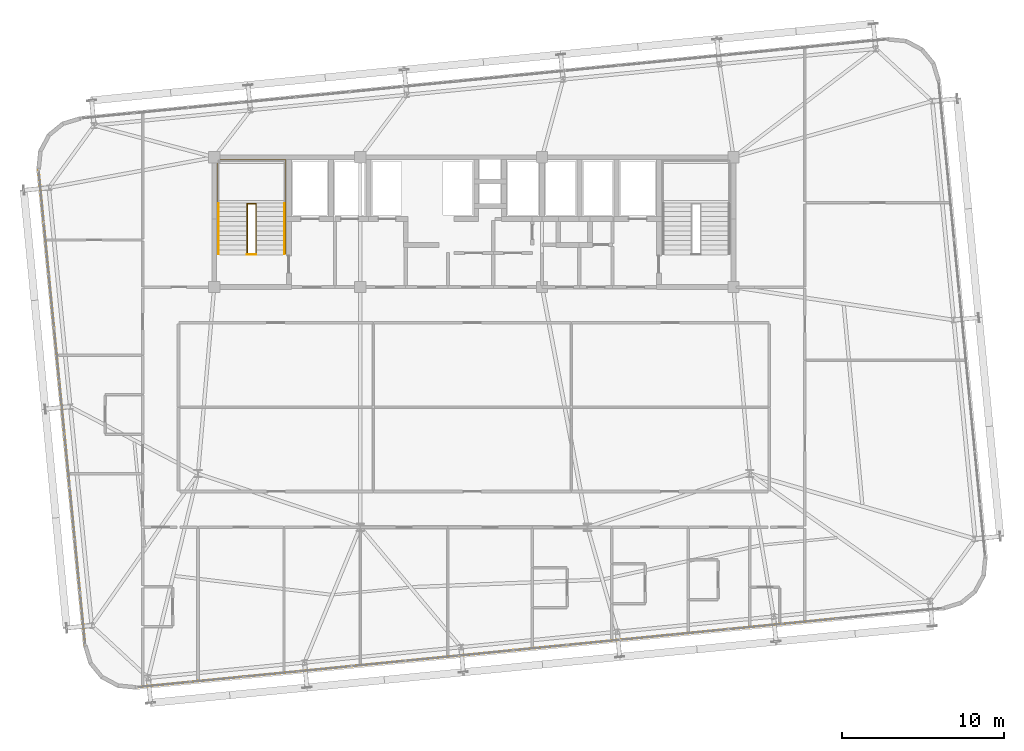
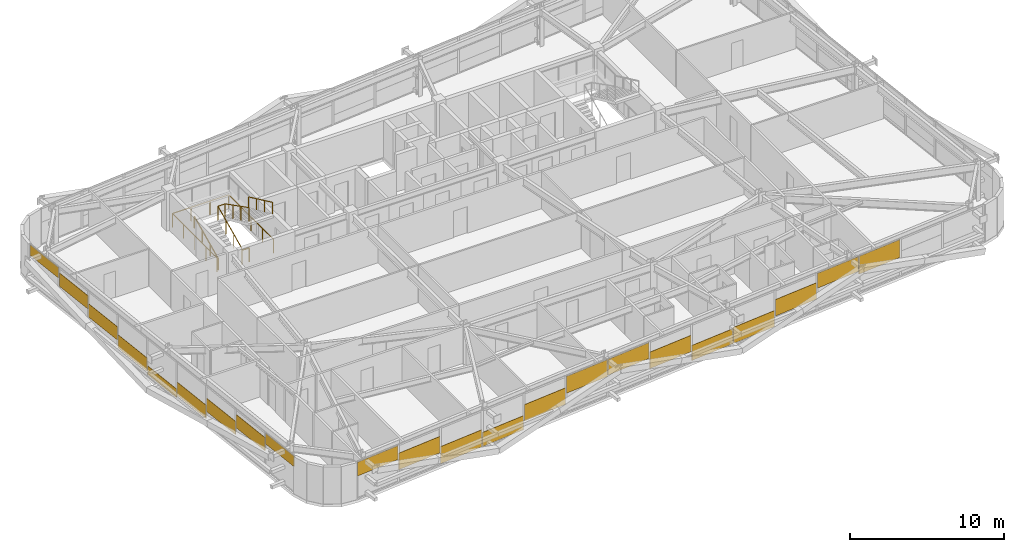
# One storey, part 52 of 54: 22 coverings, 5 railings.
"""IFC4 building model written with IfcOpenShell, lengths in metres."""

import ifcopenshell
import ifcopenshell.guid

model = None  # the IFC model being written
_history = None  # IfcOwnerHistory: only IFC2X3 demands one
_inside = {}  # id of a spatial element -> (the spatial element, [elements in it])
_under = {}  # id of a project, library or spatial element -> (it, [spatial elements below it])
_declared = {}  # id of a project -> (the project, [libraries it declares])
_typed = {}  # id of a type object -> (the type object, [elements of that type])
_made_of = {}  # id of a material, layer set ... -> (it, [elements and type objects made of it])


def new_model(schema):
    """Start an empty IFC model of exactly this schema.

    Asked for "IFC4X3", IfcOpenShell would pick the latest addendum, in which some entities
    have other attributes; the version numbers below select the first issue.
    IFC2X3 requires an IfcOwnerHistory on every rooted entity: one is made here for all.
    """
    global model, _history
    if schema == "IFC4X3":
        model = ifcopenshell.file(schema_version=(4, 3, 0, 0))
    else:
        model = ifcopenshell.file(schema=schema)
    _inside.clear()
    _under.clear()
    _declared.clear()
    _typed.clear()
    _made_of.clear()
    _history = None
    if model.schema == "IFC2X3":
        org = make("IfcOrganization", Name="unknown")
        user = make(
            "IfcPersonAndOrganization",
            ThePerson=make("IfcPerson", FamilyName="unknown"),
            TheOrganization=org,
        )
        app = make(
            "IfcApplication",
            ApplicationDeveloper=org,
            Version="unknown",
            ApplicationFullName="unknown",
            ApplicationIdentifier="unknown",
        )
        _history = make(
            "IfcOwnerHistory",
            OwningUser=user,
            OwningApplication=app,
            ChangeAction="ADDED",
            CreationDate=0,
        )
    return model


def make(cls, **values):
    """One entity of the class cls with the attributes given. An attribute that is None is left unset."""
    return model.create_entity(
        cls, **{name: value for name, value in values.items() if value is not None}
    )


def rooted(cls, **values):
    """An entity with a GlobalId (a new one), such as an element, a storey or a relation."""
    return make(cls, GlobalId=ifcopenshell.guid.new(), OwnerHistory=_history, **values)


def si_unit(unit_type, name, prefix=None):
    """IfcSIUnit, for example si_unit("LENGTHUNIT", "METRE", prefix="MILLI")."""
    return make("IfcSIUnit", UnitType=unit_type, Prefix=prefix, Name=name)


def assignment(units):
    """IfcUnitAssignment: the units of a project."""
    return None if units is None else make("IfcUnitAssignment", Units=units)


def point(xyz):
    """IfcCartesianPoint."""
    return None if xyz is None else make("IfcCartesianPoint", Coordinates=xyz)


def direction(xyz):
    """IfcDirection."""
    return None if xyz is None else make("IfcDirection", DirectionRatios=xyz)


def frame(location, z_axis=None, x_axis=None):
    """IfcAxis2Placement3D, a coordinate frame: its origin and axes. An axis left out is left unset."""
    return make(
        "IfcAxis2Placement3D",
        Location=point(location),
        Axis=direction(z_axis),
        RefDirection=direction(x_axis),
    )


def frame_2d(location, x_axis=None):
    """IfcAxis2Placement2D, a coordinate frame in the plane: its origin and x axis."""
    return make(
        "IfcAxis2Placement2D", Location=point(location), RefDirection=direction(x_axis)
    )


def origin():
    """The frame at (0, 0, 0) with its axes left unset."""
    return frame((0.0, 0.0, 0.0))


def origin_2d():
    """The frame at (0, 0) in the plane with its x axis left unset."""
    return frame_2d((0.0, 0.0))


def place(relative_to, where):
    """IfcLocalPlacement: puts the frame where relative to a parent placement (None: the world)."""
    return make(
        "IfcLocalPlacement", PlacementRelTo=relative_to, RelativePlacement=where
    )


def context(
    kind, dimensions, precision=None, world=None, true_north=None, identifier=None
):
    """IfcGeometricRepresentationContext, for example the 3D "Model" context."""
    return make(
        "IfcGeometricRepresentationContext",
        ContextIdentifier=identifier,
        ContextType=kind,
        CoordinateSpaceDimension=dimensions,
        Precision=precision,
        WorldCoordinateSystem=world,
        TrueNorth=true_north,
    )


def subcontext(parent, identifier, kind, view, scale=None):
    """IfcGeometricRepresentationSubContext, for example "Body" below "Model"."""
    return make(
        "IfcGeometricRepresentationSubContext",
        ContextIdentifier=identifier,
        ContextType=kind,
        ParentContext=parent,
        TargetScale=scale,
        TargetView=view,
    )


def project(units=None, contexts=None):
    """IfcProject with its units and contexts."""
    return rooted(
        "IfcProject",
        Name="project",
        RepresentationContexts=contexts,
        UnitsInContext=assignment(units),
    )


def spatial(cls, under=None, at=None, **own):
    """A site, building, storey or space (cls), placed at a placement, below another one or the project."""
    s = rooted(cls, ObjectPlacement=at, **own)
    if under is not None:
        _under.setdefault(under.id(), (under, []))[1].append(s)
    return s


def profile(cls, at=None, kind="AREA", **sizes):
    """A parametric profile (cls). Its sizes go by their IFC names, for example OverallWidth=200.0."""
    return make(cls, ProfileType=kind, Position=at, **sizes)


def rectangle(**sizes):
    """IfcRectangleProfileDef."""
    return profile("IfcRectangleProfileDef", **sizes)


def extrude(swept, where, along, depth):
    """IfcExtrudedAreaSolid: the profile swept, set in the frame where, extruded along a direction by depth."""
    return make(
        "IfcExtrudedAreaSolid",
        SweptArea=swept,
        Position=where,
        ExtrudedDirection=direction(along),
        Depth=depth,
    )


def shape(context_of_items, identifier, shape_type, items):
    """IfcShapeRepresentation: the items that make up one representation, for example the "Body"."""
    return make(
        "IfcShapeRepresentation",
        ContextOfItems=context_of_items,
        RepresentationIdentifier=identifier,
        RepresentationType=shape_type,
        Items=items,
    )


def source(mapping_origin, context_of_items, identifier, shape_type, items):
    """IfcRepresentationMap: a shape defined once, which mapped items show again and again."""
    return make(
        "IfcRepresentationMap",
        MappingOrigin=mapping_origin,
        MappedRepresentation=shape(context_of_items, identifier, shape_type, items),
    )


def transform(
    local_origin,
    x_axis=None,
    y_axis=None,
    z_axis=None,
    scale=None,
    scale2=None,
    scale3=None,
    uniform=True,
):
    """IfcCartesianTransformationOperator3D, or its non-uniform kind. x_axis, y_axis, z_axis: its Axis1, 2, 3."""
    if uniform:
        return make(
            "IfcCartesianTransformationOperator3D",
            Axis1=direction(x_axis),
            Axis2=direction(y_axis),
            LocalOrigin=point(local_origin),
            Scale=scale,
            Axis3=direction(z_axis),
        )
    return make(
        "IfcCartesianTransformationOperator3DnonUniform",
        Axis1=direction(x_axis),
        Axis2=direction(y_axis),
        LocalOrigin=point(local_origin),
        Scale=scale,
        Axis3=direction(z_axis),
        Scale2=scale2,
        Scale3=scale3,
    )


def mapped(mapping_source, mapping_target):
    """IfcMappedItem: shows the shape of a source again, moved by a transform."""
    return make(
        "IfcMappedItem", MappingSource=mapping_source, MappingTarget=mapping_target
    )


def material(Name=None, Category=None):
    """IfcMaterial."""
    return make("IfcMaterial", Name=Name, Category=Category)


def layer(
    of_material, thickness, ventilated=None, Name=None, Category=None, Priority=None
):
    """IfcMaterialLayer: one layer of a wall or slab, of a material (None: an air gap)."""
    return make(
        "IfcMaterialLayer",
        Material=of_material,
        LayerThickness=thickness,
        IsVentilated=ventilated,
        Name=Name,
        Category=Category,
        Priority=Priority,
    )


def layer_set(layers, Name=None):
    """IfcMaterialLayerSet."""
    return make("IfcMaterialLayerSet", MaterialLayers=layers, LayerSetName=Name)


def made_of(thing, what):
    """Note that an element or type object is made of a material, layer set ...; save() writes the relation."""
    if what is not None:
        _made_of.setdefault(what.id(), (what, []))[1].append(thing)
    return thing


def type_object(cls, material=None, **own):
    """A type object (cls), such as IfcWallType, which elements share."""
    return made_of(rooted(cls, **own), material)


def element(
    cls,
    number,
    at=None,
    inside=None,
    cuts=None,
    type_object=None,
    material=None,
    context=None,
    identifier="Body",
    shape_type=None,
    held_by="IfcProductDefinitionShape",
    body=None,
    shapes=None,
    **own,
):
    """One element of the class cls, such as IfcWall. Its Tag is "e" and its number.

    at: its placement. inside: the storey or other place that contains it. cuts: it is an
    opening in that element (IfcRelVoidsElement). A single representation is given by context,
    identifier, shape_type and body (its items); several are given by shapes. held_by: the class
    of the entity that holds the representations. save() writes the other relations.
    """
    e = rooted(cls, Tag="e%d" % number, ObjectPlacement=at, **own)
    if body is not None:
        shapes = [shape(context, identifier, shape_type, body)]
    if shapes is not None:
        e.Representation = make(held_by, Representations=shapes)
    if inside is not None:
        _inside.setdefault(inside.id(), (inside, []))[1].append(e)
    if cuts is not None:
        rooted(
            "IfcRelVoidsElement", RelatingBuildingElement=cuts, RelatedOpeningElement=e
        )
    if type_object is not None:
        _typed.setdefault(type_object.id(), (type_object, []))[1].append(e)
    return made_of(e, material)


def aggregate(whole, parts):
    """IfcRelAggregates: a whole, such as a stair, and the parts it consists of."""
    return rooted("IfcRelAggregates", RelatingObject=whole, RelatedObjects=parts)


def save(model, path):
    """Write the relations noted so far, then the file.

    IfcRelAggregates (storeys below a building ...), IfcRelContainedInSpatialStructure (elements
    in a storey), IfcRelDefinesByType, IfcRelAssociatesMaterial and IfcRelDeclares: one each for
    every whole, place, type object, material and project.
    """
    for whole, parts in _under.values():
        aggregate(whole, parts)
    for where, things in _inside.values():
        rooted(
            "IfcRelContainedInSpatialStructure",
            RelatedElements=things,
            RelatingStructure=where,
        )
    for kind, things in _typed.values():
        rooted("IfcRelDefinesByType", RelatedObjects=things, RelatingType=kind)
    for what, things in _made_of.values():
        rooted("IfcRelAssociatesMaterial", RelatedObjects=things, RelatingMaterial=what)
    for by, libraries in _declared.values():
        rooted("IfcRelDeclares", RelatingContext=by, RelatedDefinitions=libraries)
    model.write(path)


model = new_model("IFC4")

# Units and contexts
model_context = context("Model", 3, precision=1e-05, world=origin(), true_north=direction((0.0, 1.0)))
body_context = subcontext(model_context, "Body", "Model", "MODEL_VIEW")
ifc_project = project(units=[si_unit("LENGTHUNIT", "METRE"), si_unit("AREAUNIT", "SQUARE_METRE"), si_unit("VOLUMEUNIT", "CUBIC_METRE"), si_unit("PLANEANGLEUNIT", "RADIAN"), si_unit("MASSUNIT", "GRAM", prefix="KILO")], contexts=[model_context])

# Site, building, storey
site_placement = place(None, origin())
site = spatial("IfcSite", under=ifc_project, at=site_placement, CompositionType="ELEMENT")
building_placement = place(site_placement, origin())
building = spatial("IfcBuilding", under=site, at=building_placement, Name="Taldren Reach Tower", CompositionType="ELEMENT")
storey_placement = place(building_placement, frame((0.0, 0.0, 102.89990234375)))
storey = spatial("IfcBuildingStorey", under=building, at=storey_placement, Name="L31", CompositionType="ELEMENT", Elevation=102.89990234375)

# Railings
ifc_material_1 = material(Name="Steel Gr 350 (C350L0)", Category="steel")
ifc_layer_1 = layer(ifc_material_1, 0.050048828125)
ifc_layer_set_1 = layer_set([ifc_layer_1], Name="Steel Gr 350 (C350L0)")
railing_type_1 = type_object("IfcRailingType", Name="RL-STAIR-GR", PredefinedType="GUARDRAIL", material=ifc_layer_set_1)
railing_1_placement = place(storey_placement, frame((21.030029296875, 26.050048828125, 0.13134765625)))
element("IfcRailing", 1, at=railing_1_placement, inside=storey, type_object=railing_type_1, Name="Stairwell inner guard ST1-L31", PredefinedType="GUARDRAIL", context=body_context, shape_type="SweptSolid", body=[
    extrude(rectangle(XDim=0.047852, YDim=0.047852, at=origin_2d()), frame((0.0, 0.0, 1.09619140625), z_axis=(0.0, 0.905710134349, 0.423897573167), x_axis=(-1.0, 0.0, 0.0)), (0.0, 0.0, 1.0), 3.406005859375),
    extrude(rectangle(XDim=0.047852, YDim=0.047852, at=origin_2d()), frame((0.0, 3.0849609375, 2.5400390625), z_axis=(1.0, 0.0, 0.0), x_axis=(0.0, 1.0, 0.0)), (0.0, 0.0, 1.0), 0.5400390625),
    extrude(rectangle(XDim=0.047852, YDim=0.047852, at=origin_2d()), frame((0.5400390625, 3.0849609375, 2.5400390625), z_axis=(0.0, -0.890645957773, 0.45469745755), x_axis=(1.0, 0.0, 0.0)), (0.0, 0.0, 1.0), 3.463623046875),
    extrude(rectangle(XDim=0.041992, YDim=0.041992, at=origin_2d()), origin(), (0.0, 0.0, 1.0), 1.072021484375),
    extrude(rectangle(XDim=0.041992, YDim=0.041992, at=origin_2d()), frame((0.0, 1.0283203125, 0.481201171875)), (0.0, 0.0, 1.0), 1.072021484375),
    extrude(rectangle(XDim=0.041992, YDim=0.041992, at=origin_2d()), frame((0.0, 2.056640625, 0.962646484375)), (0.0, 0.0, 1.0), 1.072021484375),
    extrude(rectangle(XDim=0.041992, YDim=0.041992, at=origin_2d()), frame((0.0, 3.0849609375, 1.44384765625)), (0.0, 0.0, 1.0), 1.072021484375),
    extrude(rectangle(XDim=0.041992, YDim=0.041992, at=origin_2d()), frame((0.5400390625, 3.0849609375, 1.44384765625)), (0.0, 0.0, 1.0), 1.072021484375),
    extrude(rectangle(XDim=0.041992, YDim=0.041992, at=origin_2d()), frame((0.5400390625, 2.056640625, 1.96875)), (0.0, 0.0, 1.0), 1.072021484375),
    extrude(rectangle(XDim=0.041992, YDim=0.041992, at=origin_2d()), frame((0.5400390625, 1.0283203125, 2.493896484375)), (0.0, 0.0, 1.0), 1.072021484375),
    extrude(rectangle(XDim=0.041992, YDim=0.041992, at=origin_2d()), frame((0.5400390625, 0.0, 3.018798828125)), (0.0, 0.0, 1.0), 1.072021484375),
])
railing_2_placement = place(storey_placement, frame((21.030029296875, 26.010009765625, 0.0)))
element("IfcRailing", 2, at=railing_2_placement, inside=storey, type_object=railing_type_1, Name="Stairwell landing slot guard ST1-L31", PredefinedType="GUARDRAIL", context=body_context, shape_type="SweptSolid", body=[
    extrude(rectangle(XDim=0.047852, YDim=0.047852, at=origin_2d()), frame((0.0, 0.0, 1.09619140625), z_axis=(1.0, 0.0, 0.0), x_axis=(0.0, 1.0, 0.0)), (0.0, 0.0, 1.0), 0.5400390625),
    extrude(rectangle(XDim=0.041992, YDim=0.041992, at=origin_2d()), origin(), (0.0, 0.0, 1.0), 1.072021484375),
    extrude(rectangle(XDim=0.041992, YDim=0.041992, at=origin_2d()), frame((0.5400390625, 0.0, 0.0)), (0.0, 0.0, 1.0), 1.072021484375),
])
railing_3_placement = place(storey_placement, frame((19.18994140625, 26.050048828125, 0.0)))
element("IfcRailing", 3, at=railing_3_placement, inside=storey, type_object=railing_type_1, Name="Stairwell floor opening guard ST1-L31", PredefinedType="GUARDRAIL", context=body_context, shape_type="SweptSolid", body=[
    extrude(rectangle(XDim=0.047852, YDim=0.047852, at=origin_2d()), frame((0.0, 0.0, 1.09619140625), z_axis=(0.0, 1.0, 0.0), x_axis=(-1.0, 0.0, 0.0)), (0.0, 0.0, 1.0), 5.800048828125),
    extrude(rectangle(XDim=0.047852, YDim=0.047852, at=origin_2d()), frame((0.0, 5.800048828125, 1.09619140625), z_axis=(1.0, 0.0, 0.0), x_axis=(0.0, 1.0, 0.0)), (0.0, 0.0, 1.0), 4.219970703125),
    extrude(rectangle(XDim=0.047852, YDim=0.047852, at=origin_2d()), frame((4.219970703125, 5.800048828125, 1.09619140625), z_axis=(0.0, -1.0, 0.0), x_axis=(1.0, 0.0, 0.0)), (0.0, 0.0, 1.0), 5.800048828125),
    extrude(rectangle(XDim=0.041992, YDim=0.041992, at=origin_2d()), origin(), (0.0, 0.0, 1.0), 1.072021484375),
    extrude(rectangle(XDim=0.041992, YDim=0.041992, at=origin_2d()), frame((0.0, 1.449951171875, 0.0)), (0.0, 0.0, 1.0), 1.072021484375),
    extrude(rectangle(XDim=0.041992, YDim=0.041992, at=origin_2d()), frame((0.0, 2.89990234375, 0.0)), (0.0, 0.0, 1.0), 1.072021484375),
    extrude(rectangle(XDim=0.041992, YDim=0.041992, at=origin_2d()), frame((0.0, 4.35009765625, 0.0)), (0.0, 0.0, 1.0), 1.072021484375),
    extrude(rectangle(XDim=0.041992, YDim=0.041992, at=origin_2d()), frame((0.0, 5.800048828125, 0.0)), (0.0, 0.0, 1.0), 1.072021484375),
    extrude(rectangle(XDim=0.041992, YDim=0.041992, at=origin_2d()), frame((1.40673828125, 5.800048828125, 0.0)), (0.0, 0.0, 1.0), 1.072021484375),
    extrude(rectangle(XDim=0.041992, YDim=0.041992, at=origin_2d()), frame((2.813232421875, 5.800048828125, 0.0)), (0.0, 0.0, 1.0), 1.072021484375),
    extrude(rectangle(XDim=0.041992, YDim=0.041992, at=origin_2d()), frame((4.219970703125, 5.800048828125, 0.0)), (0.0, 0.0, 1.0), 1.072021484375),
    extrude(rectangle(XDim=0.041992, YDim=0.041992, at=origin_2d()), frame((4.219970703125, 4.35009765625, 0.0)), (0.0, 0.0, 1.0), 1.072021484375),
    extrude(rectangle(XDim=0.041992, YDim=0.041992, at=origin_2d()), frame((4.219970703125, 2.89990234375, 0.0)), (0.0, 0.0, 1.0), 1.072021484375),
    extrude(rectangle(XDim=0.041992, YDim=0.041992, at=origin_2d()), frame((4.219970703125, 1.449951171875, 0.0)), (0.0, 0.0, 1.0), 1.072021484375),
    extrude(rectangle(XDim=0.041992, YDim=0.041992, at=origin_2d()), frame((4.219970703125, 0.0, 0.0)), (0.0, 0.0, 1.0), 1.072021484375),
])
ifc_material_2 = material(Name="Stainless Steel Gr 316", Category="steel")
ifc_layer_2 = layer(ifc_material_2, 0.048095703125)
ifc_layer_set_2 = layer_set([ifc_layer_2], Name="Stainless Steel Gr 316")
railing_type_2 = type_object("IfcRailingType", Name="RL-STAIR-HR", PredefinedType="HANDRAIL", material=ifc_layer_set_2)
railing_4_placement = place(storey_placement, frame((19.27001953125, 26.050048828125, 0.13134765625)))
element("IfcRailing", 4, at=railing_4_placement, inside=storey, type_object=railing_type_2, Name="Stair flight handrail ST1-L31-1", PredefinedType="HANDRAIL", context=body_context, shape_type="SweptSolid", body=[
    extrude(rectangle(XDim=0.047852, YDim=0.047852, at=origin_2d()), frame((0.0, 0.0, 0.89599609375), z_axis=(0.0, 0.905710134349, 0.423897573167), x_axis=(-1.0, 0.0, 0.0)), (0.0, 0.0, 1.0), 3.406005859375),
    extrude(rectangle(XDim=0.041992, YDim=0.041992, at=origin_2d()), origin(), (0.0, 0.0, 1.0), 0.871826171875),
    extrude(rectangle(XDim=0.041992, YDim=0.041992, at=origin_2d()), frame((0.0, 1.0283203125, 0.481201171875)), (0.0, 0.0, 1.0), 0.871826171875),
    extrude(rectangle(XDim=0.041992, YDim=0.041992, at=origin_2d()), frame((0.0, 2.056640625, 0.962646484375)), (0.0, 0.0, 1.0), 0.871826171875),
    extrude(rectangle(XDim=0.041992, YDim=0.041992, at=origin_2d()), frame((0.0, 3.0849609375, 1.44384765625)), (0.0, 0.0, 1.0), 0.871826171875),
])
railing_5_placement = place(storey_placement, frame((23.330078125, 29.135009765625, 1.706298828125)))
element("IfcRailing", 5, at=railing_5_placement, inside=storey, type_object=railing_type_2, Name="Stair flight handrail ST1-L31-2", PredefinedType="HANDRAIL", context=body_context, shape_type="SweptSolid", body=[
    extrude(rectangle(XDim=0.047852, YDim=0.047852, at=origin_2d()), frame((0.0, 0.0, 0.89599609375), z_axis=(0.0, -0.905710134349, 0.423897573167), x_axis=(1.0, 0.0, 0.0)), (0.0, 0.0, 1.0), 3.406005859375),
    extrude(rectangle(XDim=0.041992, YDim=0.041992, at=origin_2d()), origin(), (0.0, 0.0, 1.0), 0.871826171875),
    extrude(rectangle(XDim=0.041992, YDim=0.041992, at=origin_2d()), frame((0.0, -1.0283203125, 0.481201171875)), (0.0, 0.0, 1.0), 0.871826171875),
    extrude(rectangle(XDim=0.041992, YDim=0.041992, at=origin_2d()), frame((0.0, -2.056640625, 0.962646484375)), (0.0, 0.0, 1.0), 0.871826171875),
    extrude(rectangle(XDim=0.041992, YDim=0.041992, at=origin_2d()), frame((0.0, -3.0849609375, 1.44384765625)), (0.0, 0.0, 1.0), 0.871826171875),
])

# Coverings
ifc_material_3 = material(Name="Pale Champagne Fluoropolymer Aluminium Spandrel Cladding", Category="aluminium")
ifc_layer_3 = layer(ifc_material_3, 0.0439453125)
ifc_layer_set_3 = layer_set([ifc_layer_3], Name="Pale Champagne Fluoropolymer Aluminium Spandrel Cladding")
covering_type = type_object("IfcCoveringType", Name="CV-CLAD-044", PredefinedType="CLADDING", material=ifc_layer_set_3)
shared_shape_1 = source(origin(), body_context, "Body", "SweptSolid", [
    extrude(rectangle(XDim=3.23583984375, YDim=0.0439453125, at=origin_2d()), origin(), (0.0, 0.0, 1.0), 1.094970703125),
])
covering_1_placement = place(storey_placement, frame((15.862548828125, -0.501220703125, 1.7802734375), z_axis=(0.0, 0.0, 1.0), x_axis=(0.995227390247, 0.097582999046, 0.0)))
element("IfcCovering", 6, at=covering_1_placement, inside=storey, type_object=covering_type, Name="Diagrid closure cladding strip CW-3 panel 1.1 1", PredefinedType="CLADDING", context=body_context, shape_type="MappedRepresentation", body=[
    mapped(shared_shape_1, transform((0.0, 0.0, 0.0), scale=1.0)),
])
shared_shape_2 = source(origin(), body_context, "Body", "SweptSolid", [
    extrude(rectangle(XDim=3.268310546875, YDim=0.0439453125, at=origin_2d()), origin(), (0.0, 0.0, 1.0), 1.3046875),
])
for number, where, z_axis, x_axis, name in (
    (7, (19.163818359375, -0.177734375, 0.943359375), (0.0, 0.0, 1.0), (0.995227390247, 0.097582999046, 0.0), "Diagrid closure cladding strip CW-3 panel 2.1 1"),
    (8, (29.1162109375, 0.798095703125, 0.702392578125), (0.0, 0.0, 1.0), (0.995227390247, 0.097582999046, 0.0), "Diagrid closure cladding strip CW-3 panel 5.1 1"),
    (9, (39.068359375, 1.77392578125, 0.78271484375), (0.0, 0.0, 1.0), (0.995227390247, 0.097582999046, 0.0), "Diagrid closure cladding strip CW-3 panel 8.1 1"),
    (10, (49.020751953125, 2.749755859375, 0.863037109375), (0.0, 0.0, 1.0), (0.995227390247, 0.097582999046, 0.0), "Diagrid closure cladding strip CW-3 panel 11.1 1"),
):
    element("IfcCovering", number, at=place(storey_placement, frame(where, z_axis=z_axis, x_axis=x_axis)), inside=storey, type_object=covering_type, Name=name, PredefinedType="CLADDING", context=body_context, shape_type="MappedRepresentation", body=[
        mapped(shared_shape_2, transform((0.0, 0.0, 0.0), scale=1.0)),
    ])
shared_shape_3 = source(origin(), body_context, "Body", "SweptSolid", [
    extrude(rectangle(XDim=3.268310546875, YDim=0.0439453125, at=origin_2d()), origin(), (0.0, 0.0, 1.0), 1.356201171875),
])
covering_2_placement = place(storey_placement, frame((22.481201171875, 0.147705078125, 0.05517578125), z_axis=(0.0, 0.0, 1.0), x_axis=(0.995227390247, 0.097582999046, 0.0)))
element("IfcCovering", 11, at=covering_2_placement, inside=storey, type_object=covering_type, Name="Diagrid closure cladding strip CW-3 panel 3.1 1", PredefinedType="CLADDING", context=body_context, shape_type="MappedRepresentation", body=[
    mapped(shared_shape_3, transform((0.0, 0.0, 0.0), scale=1.0)),
])
shared_shape_4 = source(origin(), body_context, "Body", "SweptSolid", [
    extrude(rectangle(XDim=3.268310546875, YDim=0.0439453125, at=origin_2d()), origin(), (0.0, 0.0, 1.0), 1.115234375),
])
covering_3_placement = place(storey_placement, frame((25.798828125, 0.472900390625, 0.05517578125), z_axis=(0.0, 0.0, 1.0), x_axis=(0.995227390247, 0.097582999046, 0.0)))
element("IfcCovering", 12, at=covering_3_placement, inside=storey, type_object=covering_type, Name="Diagrid closure cladding strip CW-3 panel 4.1 1", PredefinedType="CLADDING", context=body_context, shape_type="MappedRepresentation", body=[
    mapped(shared_shape_4, transform((0.0, 0.0, 0.0), scale=1.0)),
])
shared_shape_5 = source(origin(), body_context, "Body", "SweptSolid", [
    extrude(rectangle(XDim=3.268310546875, YDim=0.0439453125, at=origin_2d()), origin(), (0.0, 0.0, 1.0), 1.3359375),
])
covering_4_placement = place(storey_placement, frame((32.43359375, 1.12353515625, 1.5390625), z_axis=(0.0, 0.0, 1.0), x_axis=(0.995227390247, 0.097582999046, 0.0)))
element("IfcCovering", 13, at=covering_4_placement, inside=storey, type_object=covering_type, Name="Diagrid closure cladding strip CW-3 panel 6.1 1", PredefinedType="CLADDING", context=body_context, shape_type="MappedRepresentation", body=[
    mapped(shared_shape_5, transform((0.0, 0.0, 0.0), scale=1.0)),
])
shared_shape_6 = source(origin(), body_context, "Body", "SweptSolid", [
    extrude(rectangle(XDim=3.268310546875, YDim=0.0439453125, at=origin_2d()), origin(), (0.0, 0.0, 1.0), 1.255615234375),
])
covering_5_placement = place(storey_placement, frame((35.7509765625, 1.44873046875, 1.61962890625), z_axis=(0.0, 0.0, 1.0), x_axis=(0.995227390247, 0.097582999046, 0.0)))
element("IfcCovering", 14, at=covering_5_placement, inside=storey, type_object=covering_type, Name="Diagrid closure cladding strip CW-3 panel 7.1 1", PredefinedType="CLADDING", context=body_context, shape_type="MappedRepresentation", body=[
    mapped(shared_shape_6, transform((0.0, 0.0, 0.0), scale=1.0)),
])
shared_shape_7 = source(origin(), body_context, "Body", "SweptSolid", [
    extrude(rectangle(XDim=3.268310546875, YDim=0.0439453125, at=origin_2d()), origin(), (0.0, 0.0, 1.0), 1.195556640625),
])
covering_6_placement = place(storey_placement, frame((42.3857421875, 2.099365234375, 0.05517578125), z_axis=(0.0, 0.0, 1.0), x_axis=(0.995227390247, 0.097582999046, 0.0)))
element("IfcCovering", 15, at=covering_6_placement, inside=storey, type_object=covering_type, Name="Diagrid closure cladding strip CW-3 panel 9.1 1", PredefinedType="CLADDING", context=body_context, shape_type="MappedRepresentation", body=[
    mapped(shared_shape_7, transform((0.0, 0.0, 0.0), scale=1.0)),
])
shared_shape_8 = source(origin(), body_context, "Body", "SweptSolid", [
    extrude(rectangle(XDim=3.268310546875, YDim=0.0439453125, at=origin_2d()), origin(), (0.0, 0.0, 1.0), 1.27587890625),
])
covering_7_placement = place(storey_placement, frame((45.703369140625, 2.424560546875, 0.05517578125), z_axis=(0.0, 0.0, 1.0), x_axis=(0.995227390247, 0.097582999046, 0.0)))
element("IfcCovering", 16, at=covering_7_placement, inside=storey, type_object=covering_type, Name="Diagrid closure cladding strip CW-3 panel 10.1 1", PredefinedType="CLADDING", context=body_context, shape_type="MappedRepresentation", body=[
    mapped(shared_shape_8, transform((0.0, 0.0, 0.0), scale=1.0)),
])
shared_shape_9 = source(origin(), body_context, "Body", "SweptSolid", [
    extrude(rectangle(XDim=3.268310546875, YDim=0.0439453125, at=origin_2d()), origin(), (0.0, 0.0, 1.0), 1.17529296875),
])
covering_8_placement = place(storey_placement, frame((52.338134765625, 3.0751953125, 1.69970703125), z_axis=(0.0, 0.0, 1.0), x_axis=(0.995227390247, 0.097582999046, 0.0)))
element("IfcCovering", 17, at=covering_8_placement, inside=storey, type_object=covering_type, Name="Diagrid closure cladding strip CW-3 panel 12.1 1", PredefinedType="CLADDING", context=body_context, shape_type="MappedRepresentation", body=[
    mapped(shared_shape_9, transform((0.0, 0.0, 0.0), scale=1.0)),
])
shared_shape_10 = source(origin(), body_context, "Body", "SweptSolid", [
    extrude(rectangle(XDim=3.268310546875, YDim=0.0439453125, at=origin_2d()), origin(), (0.0, 0.0, 1.0), 1.416259765625),
])
covering_9_placement = place(storey_placement, frame((55.655517578125, 3.400390625, 1.458984375), z_axis=(0.0, 0.0, 1.0), x_axis=(0.995227390247, 0.097582999046, 0.0)))
element("IfcCovering", 18, at=covering_9_placement, inside=storey, type_object=covering_type, Name="Diagrid closure cladding strip CW-3 panel 13.1 1", PredefinedType="CLADDING", context=body_context, shape_type="MappedRepresentation", body=[
    mapped(shared_shape_10, transform((0.0, 0.0, 0.0), scale=1.0)),
])
shared_shape_11 = source(origin(), body_context, "Body", "SweptSolid", [
    extrude(rectangle(XDim=3.18017578125, YDim=0.0439453125, at=origin_2d()), origin(), (0.0, 0.0, 1.0), 0.83056640625),
])
for number, where, z_axis, x_axis, name in (
    (19, (8.34521484375, 29.61376953125, 2.044677734375), (0.0, 0.0, 1.0), (0.09758274098, -0.99522741555, 0.0), "Diagrid closure cladding strip CW-3 panel 1.1 1"),
    (20, (10.90087890625, 3.549072265625, 2.044677734375), (0.0, 0.0, 1.0), (0.09758274098, -0.99522741555, 0.0), "Diagrid closure cladding strip CW-3 panel 9.1 1"),
):
    element("IfcCovering", number, at=place(storey_placement, frame(where, z_axis=z_axis, x_axis=x_axis)), inside=storey, type_object=covering_type, Name=name, PredefinedType="CLADDING", context=body_context, shape_type="MappedRepresentation", body=[
        mapped(shared_shape_11, transform((0.0, 0.0, 0.0), scale=1.0)),
    ])
shared_shape_12 = source(origin(), body_context, "Body", "SweptSolid", [
    extrude(rectangle(XDim=3.212890625, YDim=0.0439453125, at=origin_2d()), origin(), (0.0, 0.0, 1.0), 1.053466796875),
])
for number, where, z_axis, x_axis, name in (
    (21, (8.663330078125, 26.36767578125, 1.45703125), (0.0, 0.0, 1.0), (0.09758274098, -0.99522741555, 0.0), "Diagrid closure cladding strip CW-3 panel 2.1 1"),
    (22, (8.983154296875, 23.105712890625, 0.869140625), (0.0, 0.0, 1.0), (0.09758274098, -0.99522741555, 0.0), "Diagrid closure cladding strip CW-3 panel 3.1 1"),
    (23, (9.30322265625, 19.843505859375, 0.28125), (0.0, 0.0, 1.0), (0.09758274098, -0.99522741555, 0.0), "Diagrid closure cladding strip CW-3 panel 4.1 1"),
    (24, (9.94287109375, 13.319091796875, 0.28125), (0.0, 0.0, 1.0), (0.09758274098, -0.99522741555, 0.0), "Diagrid closure cladding strip CW-3 panel 6.1 1"),
    (25, (10.2626953125, 10.05712890625, 0.869140625), (0.0, 0.0, 1.0), (0.09758274098, -0.99522741555, 0.0), "Diagrid closure cladding strip CW-3 panel 7.1 1"),
    (26, (10.58251953125, 6.794921875, 1.45703125), (0.0, 0.0, 1.0), (0.09758274098, -0.99522741555, 0.0), "Diagrid closure cladding strip CW-3 panel 8.1 1"),
):
    element("IfcCovering", number, at=place(storey_placement, frame(where, z_axis=z_axis, x_axis=x_axis)), inside=storey, type_object=covering_type, Name=name, PredefinedType="CLADDING", context=body_context, shape_type="MappedRepresentation", body=[
        mapped(shared_shape_12, transform((0.0, 0.0, 0.0), scale=1.0)),
    ])
shared_shape_13 = source(origin(), body_context, "Body", "SweptSolid", [
    extrude(rectangle(XDim=3.212890625, YDim=0.0439453125, at=origin_2d()), origin(), (0.0, 0.0, 1.0), 0.691650390625),
])
covering_10_placement = place(storey_placement, frame((9.623046875, 16.581298828125, 0.05517578125), z_axis=(0.0, 0.0, 1.0), x_axis=(0.09758274098, -0.99522741555, 0.0)))
element("IfcCovering", 27, at=covering_10_placement, inside=storey, type_object=covering_type, Name="Diagrid closure cladding strip CW-3 panel 5.1 1", PredefinedType="CLADDING", context=body_context, shape_type="MappedRepresentation", body=[
    mapped(shared_shape_13, transform((0.0, 0.0, 0.0), scale=1.0)),
])

save(model, "model.ifc")
